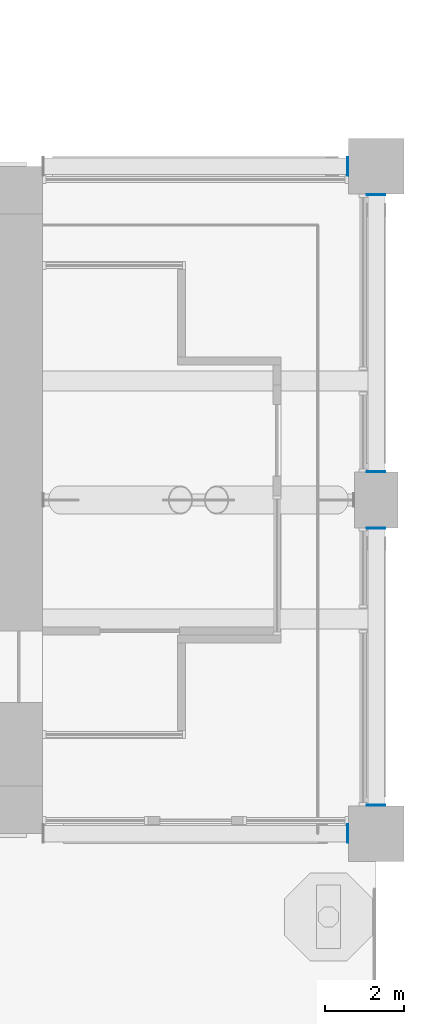
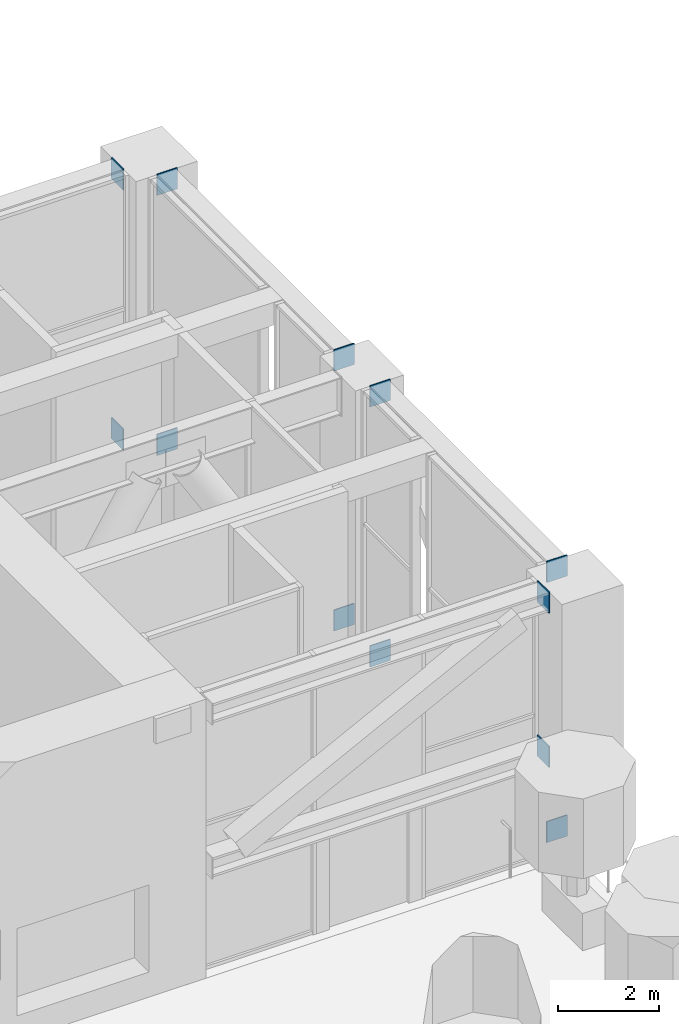
# One storey, part 22 of 28: 12 discrete accessories.
"""IFC4 building model written with IfcOpenShell, lengths in metres."""

from ifc_helpers import new_model, si_unit, direction, frame, origin, origin_2d, place, context, subcontext, project, spatial, rectangle, extrude, element, save


model = new_model("IFC4")

# Units and contexts
model_context = context("Model", 3, precision=1e-05, world=origin(), true_north=direction((0.0, 1.0)))
body_context = subcontext(model_context, "Body", "Model", "MODEL_VIEW")
ifc_project = project(units=[si_unit("LENGTHUNIT", "METRE"), si_unit("AREAUNIT", "SQUARE_METRE"), si_unit("VOLUMEUNIT", "CUBIC_METRE"), si_unit("PLANEANGLEUNIT", "RADIAN"), si_unit("MASSUNIT", "GRAM", prefix="KILO")], contexts=[model_context])

# Site, building, storey
site_placement = place(None, origin())
site = spatial("IfcSite", under=ifc_project, at=site_placement, CompositionType="ELEMENT")
building_placement = place(site_placement, origin())
building = spatial("IfcBuilding", under=site, at=building_placement, Name="Vermilion Gate Residences", CompositionType="ELEMENT")
storey_placement = place(building_placement, frame((0.0, 0.0, 74.199951171875)))
storey = spatial("IfcBuildingStorey", under=building, at=storey_placement, Name="L18", CompositionType="ELEMENT", Elevation=74.199951171875)

# Discrete accessories
for number, where, z_axis, x_axis, name in (
    (1, (66.487548828125, 8.39990234375, 2.52490234375), (0.0, 0.0, 1.0), (1.0, 0.0, 0.0), "End plate B18BELT17B 2"),
    (2, (66.487548828125, 8.39990234375, 6.23681640625), (0.0, 0.0, 1.0), (1.0, 0.0, 0.0), "End plate B18BELT17T 2"),
):
    element("IfcDiscreteAccessory", number, at=place(storey_placement, frame(where, z_axis=z_axis, x_axis=x_axis)), inside=storey, Name=name, ObjectType="END PLATE", PredefinedType="USERDEFINED", context=body_context, shape_type="SweptSolid", body=[
        extrude(rectangle(XDim=0.02490234375, YDim=0.467041015625, at=origin_2d()), origin(), (0.0, 0.0, 1.0), 0.508056640625),
    ])
for number, where, z_axis, x_axis, name in (
    (3, (67.199951171875, 9.112548828125, -0.02490234375), (0.0, 0.0, 1.0), (1.0, 0.0, 0.0), "End plate B18BELT18B 1"),
    (4, (67.199951171875, 16.08740234375, -0.02490234375), (0.0, 0.0, 1.0), (1.0, 0.0, 0.0), "End plate B18BELT18B 2"),
    (5, (67.199951171875, 9.112548828125, 6.23681640625), (0.0, 0.0, 1.0), (1.0, 0.0, 0.0), "End plate B18BELT18T 1"),
    (6, (67.199951171875, 16.08740234375, 6.23681640625), (0.0, 0.0, 1.0), (1.0, 0.0, 0.0), "End plate B18BELT18T 2"),
    (7, (67.199951171875, 17.512451171875, -0.02490234375), (0.0, 0.0, 1.0), (1.0, 0.0, 0.0), "End plate B18BELT19B 1"),
    (8, (67.199951171875, 24.487548828125, -0.02490234375), (0.0, 0.0, 1.0), (1.0, 0.0, 0.0), "End plate B18BELT19B 2"),
    (9, (67.199951171875, 17.512451171875, 6.23681640625), (0.0, 0.0, 1.0), (1.0, 0.0, 0.0), "End plate B18BELT19T 1"),
    (10, (67.199951171875, 24.487548828125, 6.23681640625), (0.0, 0.0, 1.0), (1.0, 0.0, 0.0), "End plate B18BELT19T 2"),
):
    element("IfcDiscreteAccessory", number, at=place(storey_placement, frame(where, z_axis=z_axis, x_axis=x_axis)), inside=storey, Name=name, ObjectType="END PLATE", PredefinedType="USERDEFINED", context=body_context, shape_type="SweptSolid", body=[
        extrude(rectangle(XDim=0.467041015625, YDim=0.02490234375, at=origin_2d()), origin(), (0.0, 0.0, 1.0), 0.508056640625),
    ])
for number, where, z_axis, x_axis, name in (
    (11, (66.487548828125, 25.199951171875, -0.02490234375), (0.0, 0.0, 1.0), (1.0, 0.0, 0.0), "End plate B18BELT20B 2"),
    (12, (66.487548828125, 25.199951171875, 6.23681640625), (0.0, 0.0, 1.0), (1.0, 0.0, 0.0), "End plate B18BELT20T 2"),
):
    element("IfcDiscreteAccessory", number, at=place(storey_placement, frame(where, z_axis=z_axis, x_axis=x_axis)), inside=storey, Name=name, ObjectType="END PLATE", PredefinedType="USERDEFINED", context=body_context, shape_type="SweptSolid", body=[
        extrude(rectangle(XDim=0.02490234375, YDim=0.467041015625, at=origin_2d()), origin(), (0.0, 0.0, 1.0), 0.508056640625),
    ])

save(model, "model.ifc")
